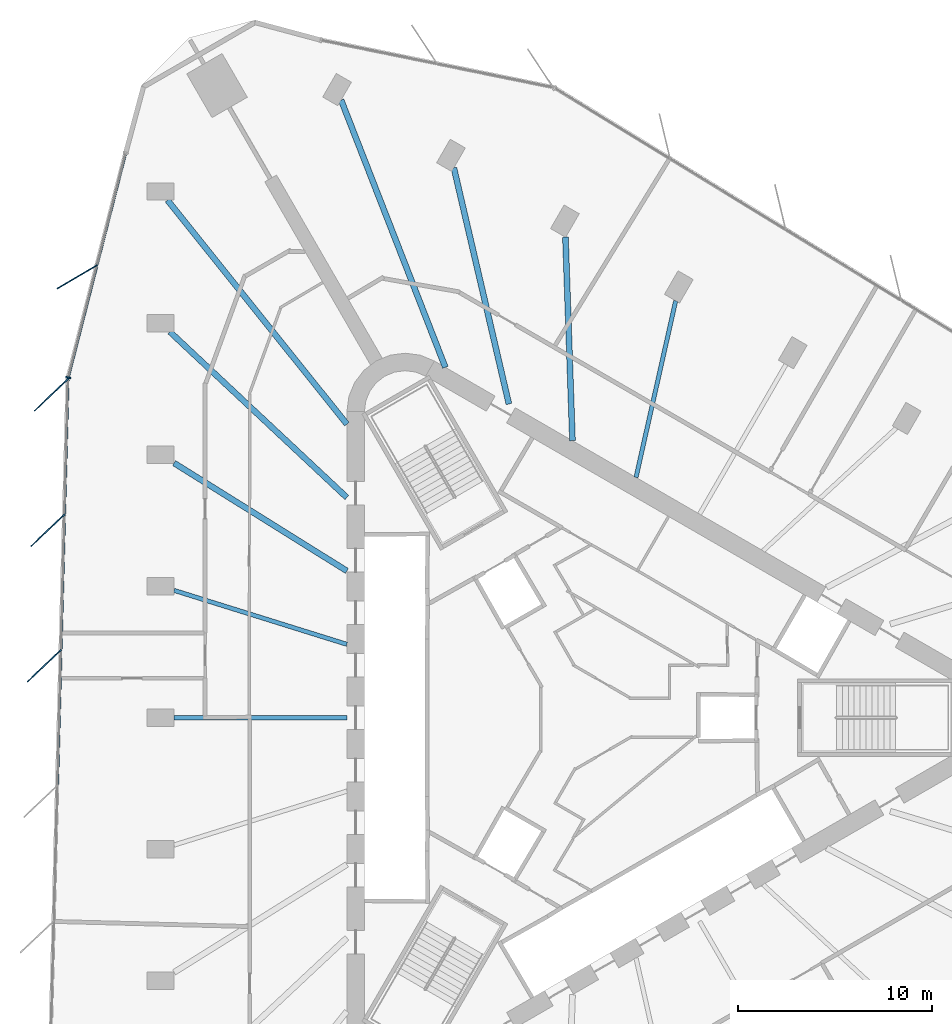
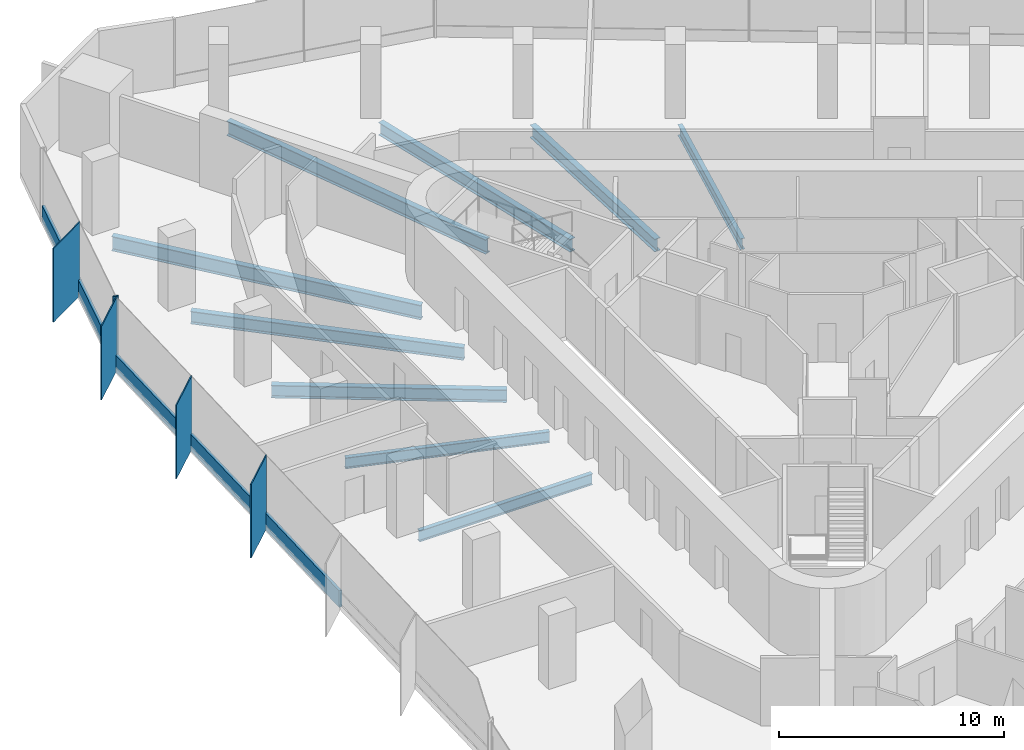
# One storey, part 4 of 14: 10 members, 9 beams, 2 elements without a shape of their own.
"""IFC4 building model written with IfcOpenShell, lengths in metres."""

from ifc_helpers import new_model, si_unit, direction, frame, origin, origin_2d, place, context, subcontext, project, spatial, rectangle, i_section, extrude, material, material_profile, profile_set, type_object, element, aggregate, save


model = new_model("IFC4")

# Units and contexts
model_context = context("Model", 3, precision=1e-05, world=origin(), true_north=direction((0.0, 1.0)))
body_context = subcontext(model_context, "Body", "Model", "MODEL_VIEW")
ifc_project = project(units=[si_unit("LENGTHUNIT", "METRE"), si_unit("AREAUNIT", "SQUARE_METRE"), si_unit("VOLUMEUNIT", "CUBIC_METRE"), si_unit("PLANEANGLEUNIT", "RADIAN"), si_unit("MASSUNIT", "GRAM", prefix="KILO")], contexts=[model_context])

# Site, building, storey
site_placement = place(None, origin())
site = spatial("IfcSite", under=ifc_project, at=site_placement, CompositionType="ELEMENT")
building_placement = place(site_placement, origin())
building = spatial("IfcBuilding", under=site, at=building_placement, Name="Tanit Gate Tower", CompositionType="ELEMENT")
storey_placement = place(building_placement, frame((0.0, 0.0, 249.199951171875)))
storey = spatial("IfcBuildingStorey", under=building, at=storey_placement, Name="L56", CompositionType="ELEMENT", Elevation=249.199951171875)

# Curtain wall, member
ifc_material_1 = material(Name="Aluminium bronze anodised and glass", Category="aluminium")
curtain_wall_type = type_object("IfcCurtainWallType", Name="Curtain wall typical mid", PredefinedType="NOTDEFINED", material=ifc_material_1)
curtain_wall_1_placement = place(storey_placement, origin())
curtain_wall_1 = element("IfcCurtainWall", 1, at=curtain_wall_1_placement, inside=storey, type_object=curtain_wall_type, Name="Curtain wall L56 W1", PredefinedType="NOTDEFINED")
ifc_material_2 = material(Name="Aluminium bronze anodised", Category="aluminium")
ifc_material_profile_1 = material_profile(ifc_material_2, rectangle(XDim=2.39990234375, YDim=0.055908203125, at=origin_2d()), Name="56x2400 bronze fin mullion")
ifc_profile_set_1 = profile_set([ifc_material_profile_1], Name="Aluminium bronze anodised")
member_type_1 = type_object("IfcMemberType", Name="FIN MULLION 56x2400 bronze", PredefinedType="MULLION", material=ifc_profile_set_1)
member_1_placement = place(storey_placement, frame((-25.981689453125, 22.691162109375, -0.300048828125), z_axis=(0.0, 0.0, 1.0), x_axis=(0.860365518231, 0.509677520633, 0.0)))
member_1 = element("IfcMember", 2, at=member_1_placement, type_object=member_type_1, Name="Fin mullion L56 W1.2", PredefinedType="MULLION", context=body_context, shape_type="SweptSolid", body=[
    extrude(rectangle(XDim=2.39990234375, YDim=0.055908203125, at=origin_2d()), origin(), (0.0, 0.0, 1.0), 4.0),
])

# Curtain wall, members
curtain_wall_2_placement = place(storey_placement, origin())
curtain_wall_2 = element("IfcCurtainWall", 3, at=curtain_wall_2_placement, inside=storey, type_object=curtain_wall_type, Name="Curtain wall L56 W2", PredefinedType="NOTDEFINED")
member_2_placement = place(storey_placement, frame((-27.3134765625, 16.618408203125, -0.300048828125), z_axis=(0.0, 0.0, 1.0), x_axis=(0.725200158595, 0.688538110764, 0.0)))
member_2 = element("IfcMember", 4, at=member_2_placement, type_object=member_type_1, Name="Fin mullion L56 W2.1", PredefinedType="MULLION", context=body_context, shape_type="SweptSolid", body=[
    extrude(rectangle(XDim=2.39990234375, YDim=0.055908203125, at=origin_2d()), origin(), (0.0, 0.0, 1.0), 4.0),
])
member_3_placement = place(storey_placement, frame((-27.494384765625, 9.646728515625, -0.300048828125), z_axis=(0.0, 0.0, 1.0), x_axis=(0.725200158595, 0.688538110764, 0.0)))
member_3 = element("IfcMember", 5, at=member_3_placement, type_object=member_type_1, Name="Fin mullion L56 W2.2", PredefinedType="MULLION", context=body_context, shape_type="SweptSolid", body=[
    extrude(rectangle(XDim=2.39990234375, YDim=0.055908203125, at=origin_2d()), origin(), (0.0, 0.0, 1.0), 4.0),
])
member_4_placement = place(storey_placement, frame((-27.67529296875, 2.6748046875, -0.300048828125), z_axis=(0.0, 0.0, 1.0), x_axis=(0.725200158595, 0.688538110764, 0.0)))
member_4 = element("IfcMember", 6, at=member_4_placement, type_object=member_type_1, Name="Fin mullion L56 W2.3", PredefinedType="MULLION", context=body_context, shape_type="SweptSolid", body=[
    extrude(rectangle(XDim=2.39990234375, YDim=0.055908203125, at=origin_2d()), origin(), (0.0, 0.0, 1.0), 4.0),
])

# Member
ifc_material_3 = material(Name="Aluminium bronze anodised", Category="aluminium")
ifc_material_profile_2 = material_profile(ifc_material_3, rectangle(XDim=0.260009765625, YDim=0.080078125, at=origin_2d()), Name="80x260 bronze mullion")
ifc_profile_set_2 = profile_set([ifc_material_profile_2], Name="Aluminium bronze anodised")
member_type_2 = type_object("IfcMemberType", Name="Mullion 80x260 typical mid", PredefinedType="MULLION", material=ifc_profile_set_2)
member_5_placement = place(storey_placement, frame((-26.44775390625, 17.5087890625, -0.300048828125), z_axis=(0.0, 0.0, 1.0), x_axis=(0.968766723298, -0.247973861182, 0.0)))
member_5 = element("IfcMember", 7, at=member_5_placement, type_object=member_type_2, Name="Mullion L56 W1.3", PredefinedType="MULLION", context=body_context, shape_type="SweptSolid", body=[
    extrude(rectangle(XDim=0.260009765625, YDim=0.080078125, at=origin_2d()), origin(), (0.0, 0.0, 1.0), 4.0),
])

# Beams
ifc_material_4 = material(Name="Steel S355", Category="steel")
ifc_material_profile_3 = material_profile(ifc_material_4, i_section(OverallWidth=0.300048828125, OverallDepth=0.68994140625, WebThickness=0.014404296875, FlangeThickness=0.027099609375, FilletRadius=0.027099609375, at=origin_2d()), Name="HEA 700")
ifc_profile_set_3 = profile_set([ifc_material_profile_3], Name="Steel S355")
beam_type_1 = type_object("IfcBeamType", Name="RADIAL GIRDER HEA 700 S355", PredefinedType="BEAM", material=ifc_profile_set_3)
beam_1_placement = place(storey_placement, frame((-0.8525390625, 24.733154296875, -0.64501953125), z_axis=(0.034449440127, -0.999406441882, 0.0), x_axis=(0.999406441882, 0.034449440127, 0.0)))
element("IfcBeam", 8, at=beam_1_placement, inside=storey, type_object=beam_type_1, Name="RADIAL GIRDER", PredefinedType="BEAM", context=body_context, shape_type="SweptSolid", body=[
    extrude(i_section(OverallWidth=0.300048828125, OverallDepth=0.68994140625, WebThickness=0.014404296875, FlangeThickness=0.027099609375, FilletRadius=0.027099609375, at=origin_2d()), origin(), (0.0, 0.0, 1.0), 10.4814453125),
])
beam_2_placement = place(storey_placement, frame((-6.595458984375, 28.30224609375, -0.64501953125), z_axis=(0.226957535876, -0.973904654938, 0.0), x_axis=(0.973904654938, 0.226957535876, 0.0)))
element("IfcBeam", 9, at=beam_2_placement, inside=storey, type_object=beam_type_1, Name="RADIAL GIRDER", PredefinedType="BEAM", context=body_context, shape_type="SweptSolid", body=[
    extrude(i_section(OverallWidth=0.300048828125, OverallDepth=0.68994140625, WebThickness=0.014404296875, FlangeThickness=0.027099609375, FilletRadius=0.027099609375, at=origin_2d()), origin(), (0.0, 0.0, 1.0), 12.4814453125),
])
beam_3_placement = place(storey_placement, frame((-21.212646484375, 19.86279296875, -0.64501953125), z_axis=(0.729943944241, -0.683507014058, 0.0), x_axis=(0.683507014058, 0.729943944241, 0.0)))
element("IfcBeam", 10, at=beam_3_placement, inside=storey, type_object=beam_type_1, Name="RADIAL GIRDER", PredefinedType="BEAM", context=body_context, shape_type="SweptSolid", body=[
    extrude(i_section(OverallWidth=0.300048828125, OverallDepth=0.68994140625, WebThickness=0.014404296875, FlangeThickness=0.027099609375, FilletRadius=0.027099609375, at=origin_2d()), origin(), (0.0, 0.0, 1.0), 12.481201171875),
])
beam_4_placement = place(storey_placement, frame((-20.993408203125, 13.10498046875, -0.64501953125), z_axis=(0.848289986152, -0.52953196258, 0.0), x_axis=(0.52953196258, 0.848289986152, 0.0)))
element("IfcBeam", 11, at=beam_4_placement, inside=storey, type_object=beam_type_1, Name="RADIAL GIRDER", PredefinedType="BEAM", context=body_context, shape_type="SweptSolid", body=[
    extrude(i_section(OverallWidth=0.300048828125, OverallDepth=0.68994140625, WebThickness=0.014404296875, FlangeThickness=0.027099609375, FilletRadius=0.027099609375, at=origin_2d()), origin(), (0.0, 0.0, 1.0), 10.4814453125),
])
ifc_material_5 = material(Name="Steel S355", Category="steel")
ifc_material_profile_4 = material_profile(ifc_material_5, i_section(OverallWidth=0.300048828125, OverallDepth=0.7900390625, WebThickness=0.014892578125, FlangeThickness=0.028076171875, FilletRadius=0.030029296875, at=origin_2d()), Name="HEA 800")
ifc_profile_set_4 = profile_set([ifc_material_profile_4], Name="Steel S355")
beam_type_2 = type_object("IfcBeamType", Name="RADIAL GIRDER HEA 800 S355", PredefinedType="BEAM", material=ifc_profile_set_4)
for number, where, z_axis, x_axis, name in (
    (12, (-12.399169921875, 31.791748046875, -0.695068359375), (0.363354891864, -0.931650805054, 0.0), (0.931650805054, 0.363354891864, 0.0), "RADIAL GIRDER"),
    (13, (-21.3330078125, 26.6337890625, -0.695068359375), (0.625158701972, -0.780497660053, 0.0), (0.780497660053, 0.625158701972, 0.0), "RADIAL GIRDER"),
):
    element("IfcBeam", number, at=place(storey_placement, frame(where, z_axis=z_axis, x_axis=x_axis)), inside=storey, type_object=beam_type_2, Name=name, PredefinedType="BEAM", context=body_context, shape_type="SweptSolid", body=[
        extrude(i_section(OverallWidth=0.300048828125, OverallDepth=0.7900390625, WebThickness=0.014892578125, FlangeThickness=0.028076171875, FilletRadius=0.030029296875, at=origin_2d()), origin(), (0.0, 0.0, 1.0), 14.765869140625),
    ])
ifc_material_6 = material(Name="Steel S355", Category="steel")
ifc_material_profile_5 = material_profile(ifc_material_6, i_section(OverallWidth=0.219970703125, OverallDepth=0.60009765625, WebThickness=0.011962890625, FlangeThickness=0.01904296875, FilletRadius=0.02392578125, at=origin_2d()), Name="IPE 600")
ifc_profile_set_5 = profile_set([ifc_material_profile_5], Name="Steel S355")
beam_type_3 = type_object("IfcBeamType", Name="RADIAL GIRDER IPE 600 S355", PredefinedType="BEAM", material=ifc_profile_set_5)
beam_5_placement = place(storey_placement, frame((4.822021484375, 21.456787109375, -0.599853515625), z_axis=(-0.219263945234, -0.975665579141, 0.0), x_axis=(0.975665579141, -0.219263945234, 0.0)))
element("IfcBeam", 14, at=beam_5_placement, inside=storey, type_object=beam_type_3, Name="RADIAL GIRDER", PredefinedType="BEAM", context=body_context, shape_type="SweptSolid", body=[
    extrude(i_section(OverallWidth=0.219970703125, OverallDepth=0.60009765625, WebThickness=0.011962890625, FlangeThickness=0.01904296875, FilletRadius=0.02392578125, at=origin_2d()), origin(), (0.0, 0.0, 1.0), 9.31396484375),
])
beam_6_placement = place(storey_placement, frame((-20.993408203125, 6.552490234375, -0.599853515625), z_axis=(0.954583925113, -0.297942158674, 0.0), x_axis=(0.297942158674, 0.954583925113, 0.0)))
element("IfcBeam", 15, at=beam_6_placement, inside=storey, type_object=beam_type_3, Name="RADIAL GIRDER", PredefinedType="BEAM", context=body_context, shape_type="SweptSolid", body=[
    extrude(i_section(OverallWidth=0.219970703125, OverallDepth=0.60009765625, WebThickness=0.011962890625, FlangeThickness=0.01904296875, FilletRadius=0.02392578125, at=origin_2d()), origin(), (0.0, 0.0, 1.0), 9.314453125),
])
beam_7_placement = place(storey_placement, frame((-20.993408203125, 0.0, -0.599853515625), z_axis=(1.0, 0.0, 0.0), x_axis=(0.0, 1.0, 0.0)))
element("IfcBeam", 16, at=beam_7_placement, inside=storey, type_object=beam_type_3, Name="RADIAL GIRDER", PredefinedType="BEAM", context=body_context, shape_type="SweptSolid", body=[
    extrude(i_section(OverallWidth=0.219970703125, OverallDepth=0.60009765625, WebThickness=0.011962890625, FlangeThickness=0.01904296875, FilletRadius=0.02392578125, at=origin_2d()), origin(), (0.0, 0.0, 1.0), 8.891357421875),
])

# Member
ifc_material_7 = material(Name="Aluminium bronze anodised", Category="aluminium")
ifc_material_profile_6 = material_profile(ifc_material_7, rectangle(XDim=0.139892578125, YDim=0.89990234375, at=origin_2d()), Name="140x900 bronze transom")
ifc_profile_set_6 = profile_set([ifc_material_profile_6], Name="Aluminium bronze anodised")
member_type_3 = type_object("IfcMemberType", Name="Transom 140x900 typical mid", PredefinedType="USERDEFINED", material=ifc_profile_set_6)
member_6_placement = place(storey_placement, frame((-23.4970703125, 29.03662109375, 0.150146484375), z_axis=(-0.247964441486, -0.968769134396, 0.0), x_axis=(0.968769134396, -0.247964441486, 0.0)))
member_6 = element("IfcMember", 17, at=member_6_placement, type_object=member_type_3, Name="Transom L56 W1.1", ObjectType="TRANSOM", PredefinedType="USERDEFINED", context=body_context, shape_type="SweptSolid", body=[
    extrude(rectangle(XDim=0.139892578125, YDim=0.89990234375, at=origin_2d()), origin(), (0.0, 0.0, 1.0), 5.8896484375),
])

member_7_placement = place(storey_placement, frame((-24.977294921875, 23.253173828125, 0.150146484375), z_axis=(-0.247974399427, -0.968766585525, 0.0), x_axis=(0.968766585525, -0.247974399427, 0.0)))
member_7 = element("IfcMember", 18, at=member_7_placement, type_object=member_type_3, Name="Transom L56 W1.2", ObjectType="TRANSOM", PredefinedType="USERDEFINED", context=body_context, shape_type="SweptSolid", body=[
    extrude(rectangle(XDim=0.139892578125, YDim=0.89990234375, at=origin_2d()), origin(), (0.0, 0.0, 1.0), 5.889404296875),
])

aggregate(curtain_wall_1, [member_1, member_5, member_6, member_7])

member_8_placement = place(storey_placement, frame((-26.459716796875, 17.39013671875, 0.150146484375), z_axis=(-0.025922066799, -0.999663966767, 0.0), x_axis=(0.999663966767, -0.025922066799, 0.0)))
member_8 = element("IfcMember", 19, at=member_8_placement, type_object=member_type_3, Name="Transom L56 W2.1", ObjectType="TRANSOM", PredefinedType="USERDEFINED", context=body_context, shape_type="SweptSolid", body=[
    extrude(rectangle(XDim=0.139892578125, YDim=0.89990234375, at=origin_2d()), origin(), (0.0, 0.0, 1.0), 6.89404296875),
])

member_9_placement = place(storey_placement, frame((-26.640625, 10.418212890625, 0.150146484375), z_axis=(-0.025922984492, -0.99966394297, 0.0), x_axis=(0.99966394297, -0.025922984492, 0.0)))
member_9 = element("IfcMember", 20, at=member_9_placement, type_object=member_type_3, Name="Transom L56 W2.2", ObjectType="TRANSOM", PredefinedType="USERDEFINED", context=body_context, shape_type="SweptSolid", body=[
    extrude(rectangle(XDim=0.139892578125, YDim=0.89990234375, at=origin_2d()), origin(), (0.0, 0.0, 1.0), 6.893798828125),
])

member_10_placement = place(storey_placement, frame((-26.8212890625, 3.446533203125, 0.150146484375), z_axis=(-0.025922066799, -0.999663966767, 0.0), x_axis=(0.999663966767, -0.025922066799, 0.0)))
member_10 = element("IfcMember", 21, at=member_10_placement, type_object=member_type_3, Name="Transom L56 W2.3", ObjectType="TRANSOM", PredefinedType="USERDEFINED", context=body_context, shape_type="SweptSolid", body=[
    extrude(rectangle(XDim=0.139892578125, YDim=0.89990234375, at=origin_2d()), origin(), (0.0, 0.0, 1.0), 6.89404296875),
])

aggregate(curtain_wall_2, [member_2, member_3, member_4, member_8, member_9, member_10])

save(model, "model.ifc")
